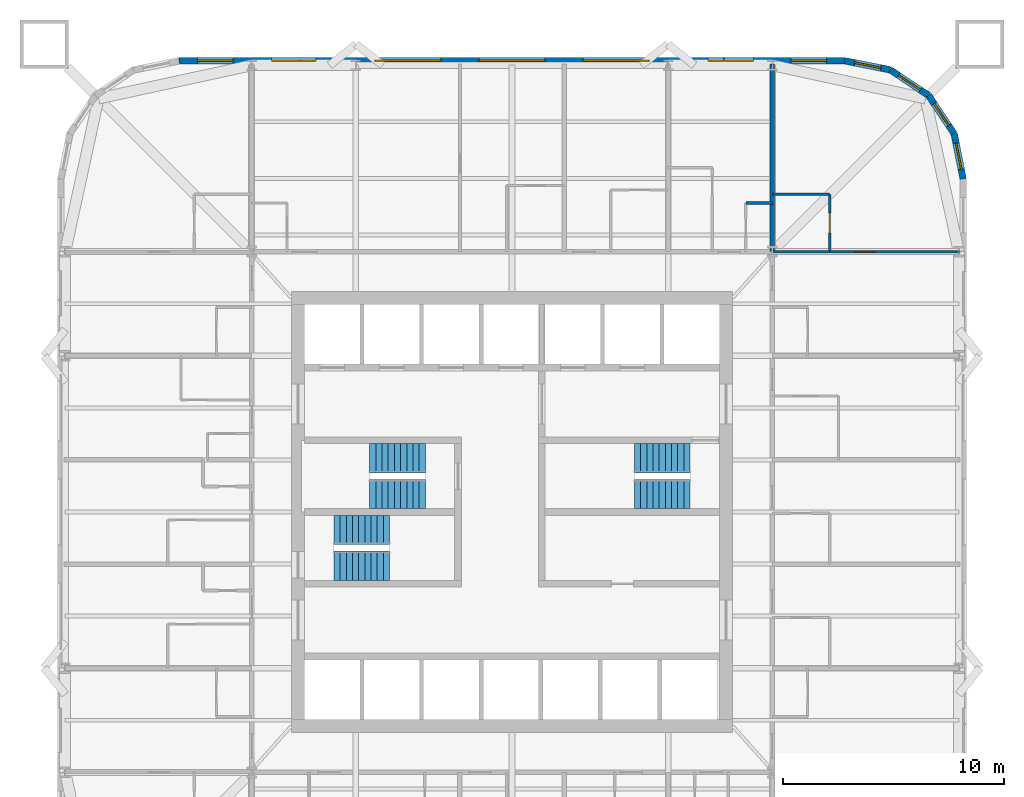
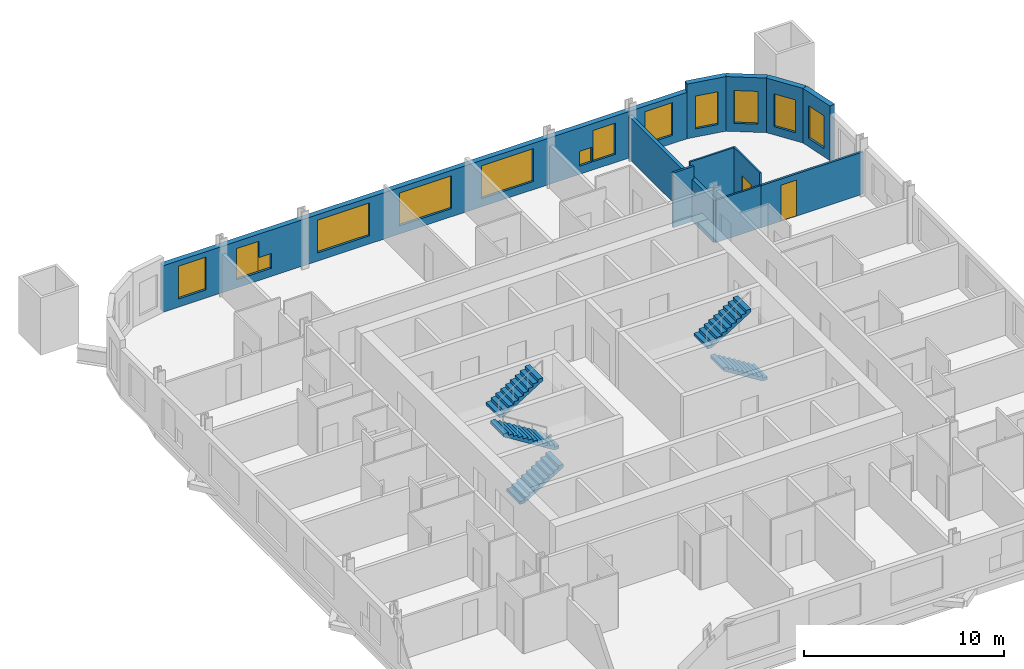
# One storey, part 8 of 9: 13 windows, 11 walls, 6 stair flights, 2 doors, 15 openings, 3 elements without a shape of their own.
"""IFC4 building model written with IfcOpenShell, lengths in metres."""

from ifc_helpers import new_model, si_unit, direction, frame, frame_2d, origin, place, context, subcontext, project, spatial, polyline, rectangle, outline, extrude, material, layer, layer_set, type_object, element, fill, aggregate, save


model = new_model("IFC4")

# Units and contexts
model_context = context("Model", 3, precision=1e-05, world=origin(), true_north=direction((0.0, 1.0)))
body_context = subcontext(model_context, "Body", "Model", "MODEL_VIEW")
ifc_project = project(units=[si_unit("LENGTHUNIT", "METRE"), si_unit("AREAUNIT", "SQUARE_METRE"), si_unit("VOLUMEUNIT", "CUBIC_METRE"), si_unit("PLANEANGLEUNIT", "RADIAN"), si_unit("MASSUNIT", "GRAM", prefix="KILO")], contexts=[model_context])

# Site, building, storey
site_placement = place(None, origin())
site = spatial("IfcSite", under=ifc_project, at=site_placement, CompositionType="ELEMENT")
building_placement = place(site_placement, origin())
building = spatial("IfcBuilding", under=site, at=building_placement, Name="Turquesa Mirador Hotel Tower", CompositionType="ELEMENT")
storey_placement = place(building_placement, frame((0.0, 0.0, 135.39990234375)))
storey = spatial("IfcBuildingStorey", under=building, at=storey_placement, Name="L36", CompositionType="ELEMENT", Elevation=135.39990234375)

# Walls
ifc_material_1 = material(Name="Gypsum board on steel studs", Category="steel")
ifc_layer_1 = layer(ifc_material_1, 0.10009765625)
ifc_layer_set_1 = layer_set([ifc_layer_1], Name="BATHROOM WALL 100")
wall_type_1 = type_object("IfcWallType", Name="BATHROOM WALL 100", PredefinedType="PARTITIONING", material=ifc_layer_set_1)
wall_1_placement = place(storey_placement, frame((66.800048828125, 56.800048828125, 0.0), z_axis=(0.0, 0.0, 1.0), x_axis=(1.0, 0.0, 0.0)))
element("IfcWall", 1, at=wall_1_placement, inside=storey, type_object=wall_type_1, Name="Partition L36 027", PredefinedType="PARTITIONING", context=body_context, shape_type="SweptSolid", body=[
    extrude(rectangle(XDim=2.599853515625, YDim=0.10009765625, at=frame_2d((1.2998046875, 0.0))), origin(), (0.0, 0.0, 1.0), 2.5732421875),
])
wall_2_placement = place(storey_placement, frame((66.800048828125, 59.39990234375, 0.0), z_axis=(0.0, 0.0, 1.0), x_axis=(1.0, 0.0, 0.0)))
element("IfcWall", 2, at=wall_2_placement, inside=storey, type_object=wall_type_1, Name="Partition L36 034", PredefinedType="PARTITIONING", context=body_context, shape_type="SweptSolid", body=[
    extrude(rectangle(XDim=2.599853515625, YDim=0.10009765625, at=frame_2d((1.2998046875, 0.0))), origin(), (0.0, 0.0, 1.0), 3.330078125),
])

# Wall, opening, door
wall_3_placement = place(storey_placement, frame((69.39990234375, 56.800048828125, 0.0), z_axis=(0.0, 0.0, 1.0), x_axis=(0.0, 1.0, 0.0)))
wall_3 = element("IfcWall", 3, at=wall_3_placement, inside=storey, type_object=wall_type_1, Name="Partition L36 077", PredefinedType="PARTITIONING", context=body_context, shape_type="SweptSolid", body=[
    extrude(rectangle(XDim=2.599853515625, YDim=0.10009765625, at=frame_2d((1.2998046875, 0.0))), origin(), (0.0, 0.0, 1.0), 3.330078125),
])
opening_1_placement = place(wall_3_placement, frame((0.85009765625, 0.0, 0.0)))
opening_1 = element("IfcOpeningElement", 4, at=opening_1_placement, cuts=wall_3, Name="Opening D02", PredefinedType="OPENING", context=body_context, shape_type="SweptSolid", body=[
    extrude(rectangle(XDim=0.89990234375, YDim=2.10009765625, at=frame_2d((0.449951171875, 1.050048828125))), frame((0.0, 0.06005859375, 0.0), z_axis=(0.0, -1.0, 0.0), x_axis=(1.0, 0.0, 0.0)), (0.0, 0.0, 1.0), 0.1201171875),
])
ifc_material_2 = material(Name="Timber veneered door", Category="wood")
door_type_1 = type_object("IfcDoorType", Name="DOOR 900X2100 EN-SUITE", OperationType="SINGLE_SWING_RIGHT", PredefinedType="DOOR", material=ifc_material_2)
door_1_placement = place(opening_1_placement, origin())
door_1 = element("IfcDoor", 5, at=door_1_placement, inside=storey, type_object=door_type_1, Name="Door 3614B", OperationType="SINGLE_SWING_RIGHT", OverallHeight=2.10009765625, OverallWidth=0.89990234375, PredefinedType="DOOR", context=body_context, shape_type="SweptSolid", body=[
    extrude(rectangle(XDim=0.89990234375, YDim=2.10009765625, at=frame_2d((0.449951171875, 1.050048828125))), frame((0.0, 0.02490234375, 0.0), z_axis=(0.0, -1.0, 0.0), x_axis=(1.0, 0.0, 0.0)), (0.0, 0.0, 1.0), 0.050048828125),
])
fill(opening_1, door_1)

# Wall, opening, window
ifc_material_3 = material(Name="Limestone cladding on concrete block", Category="masonry")
ifc_layer_2 = layer(ifc_material_3, 0.300048828125)
ifc_layer_set_2 = layer_set([ifc_layer_2], Name="FACADE WALL 300 STONE SCREEN")
wall_type_2 = type_object("IfcWallType", Name="FACADE WALL 300 STONE SCREEN", PredefinedType="SOLIDWALL", material=ifc_layer_set_2)
wall_4_placement = place(storey_placement, frame((75.449951171875, 60.10009765625, 0.0), z_axis=(0.0, 0.0, 1.0), x_axis=(-0.195081421501, 0.980787050784, 0.0)))
wall_4 = element("IfcWall", 6, at=wall_4_placement, inside=storey, type_object=wall_type_2, Name="Facade wall L36 05", PredefinedType="SOLIDWALL", context=body_context, shape_type="SweptSolid", body=[
    extrude(rectangle(XDim=2.08740234375, YDim=0.300048828125, at=frame_2d((1.043701171875, 0.0))), origin(), (0.0, 0.0, 1.0), 3.330078125),
])
opening_2_placement = place(wall_4_placement, frame((0.443603515625, 0.0, 0.5)))
opening_2 = element("IfcOpeningElement", 7, at=opening_2_placement, cuts=wall_4, Name="Opening WN4", PredefinedType="OPENING", context=body_context, shape_type="SweptSolid", body=[
    extrude(rectangle(XDim=1.199951171875, YDim=2.0, at=frame_2d((0.60009765625, 1.0))), frame((0.0, 0.159912109375, 0.0), z_axis=(0.0, -1.0, 0.0), x_axis=(1.0, 0.0, 0.0)), (0.0, 0.0, 1.0), 0.320068359375),
])
ifc_material_4 = material(Name="Ceramic-fritted laminated glass", Category="glass")
window_type_1 = type_object("IfcWindowType", Name="FRITTED CORNER WINDOW 1200X2000", PartitioningType="DOUBLE_PANEL_HORIZONTAL", PredefinedType="WINDOW", material=ifc_material_4)
window_1_placement = place(opening_2_placement, origin())
window_1 = element("IfcWindow", 8, at=window_1_placement, inside=storey, type_object=window_type_1, Name="Window L36", OverallHeight=2.0, OverallWidth=1.199951171875, PartitioningType="SINGLE_PANEL", PredefinedType="WINDOW", context=body_context, shape_type="SweptSolid", body=[
    extrude(rectangle(XDim=1.199951171875, YDim=2.0, at=frame_2d((0.60009765625, 1.0))), frame((0.0, 0.030029296875, 0.0), z_axis=(0.0, -1.0, 0.0), x_axis=(1.0, 0.0, 0.0)), (0.0, 0.0, 1.0), 0.06005859375),
])
fill(opening_2, window_1)

wall_5_placement = place(storey_placement, frame((75.042724609375, 62.1474609375, 0.0), z_axis=(0.0, 0.0, 1.0), x_axis=(-0.555563607591, 0.831474039234, 0.0)))
wall_5 = element("IfcWall", 9, at=wall_5_placement, inside=storey, type_object=wall_type_2, Name="Facade wall L36 06", PredefinedType="SOLIDWALL", context=body_context, shape_type="SweptSolid", body=[
    extrude(rectangle(XDim=2.08740234375, YDim=0.300048828125, at=frame_2d((1.043701171875, 0.0))), origin(), (0.0, 0.0, 1.0), 3.330078125),
])
opening_3_placement = place(wall_5_placement, frame((0.443603515625, 0.0, 0.5)))
opening_3 = element("IfcOpeningElement", 10, at=opening_3_placement, cuts=wall_5, Name="Opening WN4", PredefinedType="OPENING", context=body_context, shape_type="SweptSolid", body=[
    extrude(rectangle(XDim=1.199951171875, YDim=2.0, at=frame_2d((0.60009765625, 1.0))), frame((0.0, 0.159912109375, 0.0), z_axis=(0.0, -1.0, 0.0), x_axis=(1.0, 0.0, 0.0)), (0.0, 0.0, 1.0), 0.320068359375),
])
window_2_placement = place(opening_3_placement, origin())
window_2 = element("IfcWindow", 11, at=window_2_placement, inside=storey, type_object=window_type_1, Name="Window L36", OverallHeight=2.0, OverallWidth=1.199951171875, PartitioningType="SINGLE_PANEL", PredefinedType="WINDOW", context=body_context, shape_type="SweptSolid", body=[
    extrude(rectangle(XDim=1.199951171875, YDim=2.0, at=frame_2d((0.60009765625, 1.0))), frame((0.0, 0.030029296875, 0.0), z_axis=(0.0, -1.0, 0.0), x_axis=(1.0, 0.0, 0.0)), (0.0, 0.0, 1.0), 0.06005859375),
])
fill(opening_3, window_2)

wall_6_placement = place(storey_placement, frame((73.883056640625, 63.883056640625, 0.0), z_axis=(0.0, 0.0, 1.0), x_axis=(-0.831474039234, 0.555563607591, 0.0)))
wall_6 = element("IfcWall", 12, at=wall_6_placement, inside=storey, type_object=wall_type_2, Name="Facade wall L36 07", PredefinedType="SOLIDWALL", context=body_context, shape_type="SweptSolid", body=[
    extrude(rectangle(XDim=2.08740234375, YDim=0.300048828125, at=frame_2d((1.043701171875, 0.0))), origin(), (0.0, 0.0, 1.0), 3.330078125),
])
opening_4_placement = place(wall_6_placement, frame((0.443603515625, 0.0, 0.5)))
opening_4 = element("IfcOpeningElement", 13, at=opening_4_placement, cuts=wall_6, Name="Opening WN4", PredefinedType="OPENING", context=body_context, shape_type="SweptSolid", body=[
    extrude(rectangle(XDim=1.199951171875, YDim=2.0, at=frame_2d((0.60009765625, 1.0))), frame((0.0, 0.159912109375, 0.0), z_axis=(0.0, -1.0, 0.0), x_axis=(1.0, 0.0, 0.0)), (0.0, 0.0, 1.0), 0.320068359375),
])
window_3_placement = place(opening_4_placement, origin())
window_3 = element("IfcWindow", 14, at=window_3_placement, inside=storey, type_object=window_type_1, Name="Window L36", OverallHeight=2.0, OverallWidth=1.199951171875, PartitioningType="SINGLE_PANEL", PredefinedType="WINDOW", context=body_context, shape_type="SweptSolid", body=[
    extrude(rectangle(XDim=1.199951171875, YDim=2.0, at=frame_2d((0.60009765625, 1.0))), frame((0.0, 0.030029296875, 0.0), z_axis=(0.0, -1.0, 0.0), x_axis=(1.0, 0.0, 0.0)), (0.0, 0.0, 1.0), 0.06005859375),
])
fill(opening_4, window_3)

wall_7_placement = place(storey_placement, frame((72.1474609375, 65.042724609375, 0.0), z_axis=(0.0, 0.0, 1.0), x_axis=(-0.980787050784, 0.195081421501, 0.0)))
wall_7 = element("IfcWall", 15, at=wall_7_placement, inside=storey, type_object=wall_type_2, Name="Facade wall L36 08", PredefinedType="SOLIDWALL", context=body_context, shape_type="SweptSolid", body=[
    extrude(rectangle(XDim=2.08740234375, YDim=0.300048828125, at=frame_2d((1.043701171875, 0.0))), origin(), (0.0, 0.0, 1.0), 3.330078125),
])
opening_5_placement = place(wall_7_placement, frame((0.443603515625, 0.0, 0.5)))
opening_5 = element("IfcOpeningElement", 16, at=opening_5_placement, cuts=wall_7, Name="Opening WN4", PredefinedType="OPENING", context=body_context, shape_type="SweptSolid", body=[
    extrude(rectangle(XDim=1.199951171875, YDim=2.0, at=frame_2d((0.60009765625, 1.0))), frame((0.0, 0.159912109375, 0.0), z_axis=(0.0, -1.0, 0.0), x_axis=(1.0, 0.0, 0.0)), (0.0, 0.0, 1.0), 0.320068359375),
])
window_4_placement = place(opening_5_placement, origin())
window_4 = element("IfcWindow", 17, at=window_4_placement, inside=storey, type_object=window_type_1, Name="Window L36", OverallHeight=2.0, OverallWidth=1.199951171875, PartitioningType="SINGLE_PANEL", PredefinedType="WINDOW", context=body_context, shape_type="SweptSolid", body=[
    extrude(rectangle(XDim=1.199951171875, YDim=2.0, at=frame_2d((0.60009765625, 1.0))), frame((0.0, 0.030029296875, 0.0), z_axis=(0.0, -1.0, 0.0), x_axis=(1.0, 0.0, 0.0)), (0.0, 0.0, 1.0), 0.06005859375),
])
fill(opening_5, window_4)

# Wall, openings, windows
wall_8_placement = place(storey_placement, frame((70.10009765625, 65.449951171875, 0.0), z_axis=(0.0, 0.0, 1.0), x_axis=(-1.0, 0.0, 0.0)))
wall_8 = element("IfcWall", 18, at=wall_8_placement, inside=storey, type_object=wall_type_2, Name="Facade wall L36 09", PredefinedType="SOLIDWALL", context=body_context, shape_type="SweptSolid", body=[
    extrude(rectangle(XDim=30.2001953125, YDim=0.300048828125, at=frame_2d((15.10009765625, 0.0))), origin(), (0.0, 0.0, 1.0), 2.830078125),
])
opening_6_placement = place(wall_8_placement, frame((0.85009765625, 0.0, 0.5)))
opening_6 = element("IfcOpeningElement", 19, at=opening_6_placement, cuts=wall_8, Name="Opening WN3", PredefinedType="OPENING", context=body_context, shape_type="SweptSolid", body=[
    extrude(rectangle(XDim=1.60009765625, YDim=2.0, at=frame_2d((0.800048828125, 1.0))), frame((0.0, 0.159912109375, 0.0), z_axis=(0.0, -1.0, 0.0), x_axis=(1.0, 0.0, 0.0)), (0.0, 0.0, 1.0), 0.320068359375),
])
opening_7_placement = place(wall_8_placement, frame((4.159912109375, 0.0, 0.5)))
opening_7 = element("IfcOpeningElement", 20, at=opening_7_placement, cuts=wall_8, Name="Opening WN27", PredefinedType="OPENING", context=body_context, shape_type="SweptSolid", body=[
    extrude(rectangle(XDim=1.300048828125, YDim=1.89990234375, at=frame_2d((0.64990234375, 0.949951171875))), frame((0.0, 0.159912109375, 0.0), z_axis=(0.0, -1.0, 0.0), x_axis=(1.0, 0.0, 0.0)), (0.0, 0.0, 1.0), 0.320068359375),
])
opening_8_placement = place(wall_8_placement, frame((8.8798828125, 0.0, 0.5)))
opening_8 = element("IfcOpeningElement", 21, at=opening_8_placement, cuts=wall_8, Name="Opening WN1", PredefinedType="OPENING", context=body_context, shape_type="SweptSolid", body=[
    extrude(rectangle(XDim=3.0, YDim=2.0, at=frame_2d((1.5, 1.0))), frame((0.0, 0.159912109375, 0.0), z_axis=(0.0, -1.0, 0.0), x_axis=(1.0, 0.0, 0.0)), (0.0, 0.0, 1.0), 0.320068359375),
])
opening_9_placement = place(wall_8_placement, frame((13.60009765625, 0.0, 0.5)))
opening_9 = element("IfcOpeningElement", 22, at=opening_9_placement, cuts=wall_8, Name="Opening WN1", PredefinedType="OPENING", context=body_context, shape_type="SweptSolid", body=[
    extrude(rectangle(XDim=3.0, YDim=2.0, at=frame_2d((1.5, 1.0))), frame((0.0, 0.159912109375, 0.0), z_axis=(0.0, -1.0, 0.0), x_axis=(1.0, 0.0, 0.0)), (0.0, 0.0, 1.0), 0.320068359375),
])
opening_10_placement = place(wall_8_placement, frame((18.320068359375, 0.0, 0.5)))
opening_10 = element("IfcOpeningElement", 23, at=opening_10_placement, cuts=wall_8, Name="Opening WN1", PredefinedType="OPENING", context=body_context, shape_type="SweptSolid", body=[
    extrude(rectangle(XDim=3.0, YDim=2.0, at=frame_2d((1.5, 1.0))), frame((0.0, 0.159912109375, 0.0), z_axis=(0.0, -1.0, 0.0), x_axis=(1.0, 0.0, 0.0)), (0.0, 0.0, 1.0), 0.320068359375),
])
opening_11_placement = place(wall_8_placement, frame((24.68994140625, 0.0, 0.5)))
opening_11 = element("IfcOpeningElement", 24, at=opening_11_placement, cuts=wall_8, Name="Opening WN27", PredefinedType="OPENING", context=body_context, shape_type="SweptSolid", body=[
    extrude(rectangle(XDim=1.300048828125, YDim=1.89990234375, at=frame_2d((0.64990234375, 0.949951171875))), frame((0.0, 0.159912109375, 0.0), z_axis=(0.0, -1.0, 0.0), x_axis=(1.0, 0.0, 0.0)), (0.0, 0.0, 1.0), 0.320068359375),
])
opening_12_placement = place(wall_8_placement, frame((27.75, 0.0, 0.5)))
opening_12 = element("IfcOpeningElement", 25, at=opening_12_placement, cuts=wall_8, Name="Opening WN3", PredefinedType="OPENING", context=body_context, shape_type="SweptSolid", body=[
    extrude(rectangle(XDim=1.60009765625, YDim=2.0, at=frame_2d((0.800048828125, 1.0))), frame((0.0, 0.159912109375, 0.0), z_axis=(0.0, -1.0, 0.0), x_axis=(1.0, 0.0, 0.0)), (0.0, 0.0, 1.0), 0.320068359375),
])
opening_13_placement = place(wall_8_placement, frame((5.510009765625, 0.0, 0.5)))
opening_13 = element("IfcOpeningElement", 26, at=opening_13_placement, cuts=wall_8, Name="Opening WN31", PredefinedType="OPENING", context=body_context, shape_type="SweptSolid", body=[
    extrude(rectangle(XDim=0.699951171875, YDim=0.89990234375, at=frame_2d((0.35009765625, 0.449951171875))), frame((0.0, 0.159912109375, 0.0), z_axis=(0.0, -1.0, 0.0), x_axis=(1.0, 0.0, 0.0)), (0.0, 0.0, 1.0), 0.320068359375),
])
opening_14_placement = place(wall_8_placement, frame((23.989990234375, 0.0, 0.5)))
opening_14 = element("IfcOpeningElement", 27, at=opening_14_placement, cuts=wall_8, Name="Opening WN31", PredefinedType="OPENING", context=body_context, shape_type="SweptSolid", body=[
    extrude(rectangle(XDim=0.699951171875, YDim=0.89990234375, at=frame_2d((0.35009765625, 0.449951171875))), frame((0.0, 0.159912109375, 0.0), z_axis=(0.0, -1.0, 0.0), x_axis=(1.0, 0.0, 0.0)), (0.0, 0.0, 1.0), 0.320068359375),
])
ifc_material_5 = material(Name="Ceramic-fritted laminated glass", Category="glass")
window_type_2 = type_object("IfcWindowType", Name="FRITTED WINDOW 1300X1900", PartitioningType="DOUBLE_PANEL_HORIZONTAL", PredefinedType="WINDOW", material=ifc_material_5)
window_5_placement = place(opening_7_placement, origin())
window_5 = element("IfcWindow", 28, at=window_5_placement, inside=storey, type_object=window_type_2, Name="Window L36", OverallHeight=1.89990234375, OverallWidth=1.300048828125, PartitioningType="SINGLE_PANEL", PredefinedType="WINDOW", context=body_context, shape_type="SweptSolid", body=[
    extrude(rectangle(XDim=1.300048828125, YDim=1.89990234375, at=frame_2d((0.64990234375, 0.949951171875))), frame((0.0, 0.030029296875, 0.0), z_axis=(0.0, -1.0, 0.0), x_axis=(1.0, 0.0, 0.0)), (0.0, 0.0, 1.0), 0.06005859375),
])
fill(opening_7, window_5)
window_6_placement = place(opening_11_placement, origin())
window_6 = element("IfcWindow", 29, at=window_6_placement, inside=storey, type_object=window_type_2, Name="Window L36", OverallHeight=1.89990234375, OverallWidth=1.300048828125, PartitioningType="SINGLE_PANEL", PredefinedType="WINDOW", context=body_context, shape_type="SweptSolid", body=[
    extrude(rectangle(XDim=1.300048828125, YDim=1.89990234375, at=frame_2d((0.64990234375, 0.949951171875))), frame((0.0, 0.030029296875, 0.0), z_axis=(0.0, -1.0, 0.0), x_axis=(1.0, 0.0, 0.0)), (0.0, 0.0, 1.0), 0.06005859375),
])
fill(opening_11, window_6)
ifc_material_6 = material(Name="Ceramic-fritted laminated glass", Category="glass")
window_type_3 = type_object("IfcWindowType", Name="FRITTED WINDOW 1600X2000", PartitioningType="DOUBLE_PANEL_HORIZONTAL", PredefinedType="WINDOW", material=ifc_material_6)
window_7_placement = place(opening_6_placement, origin())
window_7 = element("IfcWindow", 30, at=window_7_placement, inside=storey, type_object=window_type_3, Name="Window L36", OverallHeight=2.0, OverallWidth=1.60009765625, PartitioningType="SINGLE_PANEL", PredefinedType="WINDOW", context=body_context, shape_type="SweptSolid", body=[
    extrude(rectangle(XDim=1.60009765625, YDim=2.0, at=frame_2d((0.800048828125, 1.0))), frame((0.0, 0.030029296875, 0.0), z_axis=(0.0, -1.0, 0.0), x_axis=(1.0, 0.0, 0.0)), (0.0, 0.0, 1.0), 0.06005859375),
])
fill(opening_6, window_7)
window_8_placement = place(opening_12_placement, origin())
window_8 = element("IfcWindow", 31, at=window_8_placement, inside=storey, type_object=window_type_3, Name="Window L36", OverallHeight=2.0, OverallWidth=1.60009765625, PartitioningType="SINGLE_PANEL", PredefinedType="WINDOW", context=body_context, shape_type="SweptSolid", body=[
    extrude(rectangle(XDim=1.60009765625, YDim=2.0, at=frame_2d((0.800048828125, 1.0))), frame((0.0, 0.030029296875, 0.0), z_axis=(0.0, -1.0, 0.0), x_axis=(1.0, 0.0, 0.0)), (0.0, 0.0, 1.0), 0.06005859375),
])
fill(opening_12, window_8)
ifc_material_7 = material(Name="Ceramic-fritted laminated glass", Category="glass")
window_type_4 = type_object("IfcWindowType", Name="FRITTED WINDOW 3000X2000", PartitioningType="DOUBLE_PANEL_HORIZONTAL", PredefinedType="WINDOW", material=ifc_material_7)
window_9_placement = place(opening_8_placement, origin())
window_9 = element("IfcWindow", 32, at=window_9_placement, inside=storey, type_object=window_type_4, Name="Window L36", OverallHeight=2.0, OverallWidth=3.0, PartitioningType="SINGLE_PANEL", PredefinedType="WINDOW", context=body_context, shape_type="SweptSolid", body=[
    extrude(rectangle(XDim=3.0, YDim=2.0, at=frame_2d((1.5, 1.0))), frame((0.0, 0.030029296875, 0.0), z_axis=(0.0, -1.0, 0.0), x_axis=(1.0, 0.0, 0.0)), (0.0, 0.0, 1.0), 0.06005859375),
])
fill(opening_8, window_9)
window_10_placement = place(opening_9_placement, origin())
window_10 = element("IfcWindow", 33, at=window_10_placement, inside=storey, type_object=window_type_4, Name="Window L36", OverallHeight=2.0, OverallWidth=3.0, PartitioningType="SINGLE_PANEL", PredefinedType="WINDOW", context=body_context, shape_type="SweptSolid", body=[
    extrude(rectangle(XDim=3.0, YDim=2.0, at=frame_2d((1.5, 1.0))), frame((0.0, 0.030029296875, 0.0), z_axis=(0.0, -1.0, 0.0), x_axis=(1.0, 0.0, 0.0)), (0.0, 0.0, 1.0), 0.06005859375),
])
fill(opening_9, window_10)
window_11_placement = place(opening_10_placement, origin())
window_11 = element("IfcWindow", 34, at=window_11_placement, inside=storey, type_object=window_type_4, Name="Window L36", OverallHeight=2.0, OverallWidth=3.0, PartitioningType="SINGLE_PANEL", PredefinedType="WINDOW", context=body_context, shape_type="SweptSolid", body=[
    extrude(rectangle(XDim=3.0, YDim=2.0, at=frame_2d((1.5, 1.0))), frame((0.0, 0.030029296875, 0.0), z_axis=(0.0, -1.0, 0.0), x_axis=(1.0, 0.0, 0.0)), (0.0, 0.0, 1.0), 0.06005859375),
])
fill(opening_10, window_11)
ifc_material_8 = material(Name="Ceramic-fritted laminated glass", Category="glass")
window_type_5 = type_object("IfcWindowType", Name="FRITTED WINDOW 700X900", PartitioningType="DOUBLE_PANEL_HORIZONTAL", PredefinedType="WINDOW", material=ifc_material_8)
window_12_placement = place(opening_13_placement, origin())
window_12 = element("IfcWindow", 35, at=window_12_placement, inside=storey, type_object=window_type_5, Name="Window L36", OverallHeight=0.89990234375, OverallWidth=0.699951171875, PartitioningType="SINGLE_PANEL", PredefinedType="WINDOW", context=body_context, shape_type="SweptSolid", body=[
    extrude(rectangle(XDim=0.699951171875, YDim=0.89990234375, at=frame_2d((0.35009765625, 0.449951171875))), frame((0.0, 0.030029296875, 0.0), z_axis=(0.0, -1.0, 0.0), x_axis=(1.0, 0.0, 0.0)), (0.0, 0.0, 1.0), 0.06005859375),
])
fill(opening_13, window_12)
window_13_placement = place(opening_14_placement, origin())
window_13 = element("IfcWindow", 36, at=window_13_placement, inside=storey, type_object=window_type_5, Name="Window L36", OverallHeight=0.89990234375, OverallWidth=0.699951171875, PartitioningType="SINGLE_PANEL", PredefinedType="WINDOW", context=body_context, shape_type="SweptSolid", body=[
    extrude(rectangle(XDim=0.699951171875, YDim=0.89990234375, at=frame_2d((0.35009765625, 0.449951171875))), frame((0.0, 0.030029296875, 0.0), z_axis=(0.0, -1.0, 0.0), x_axis=(1.0, 0.0, 0.0)), (0.0, 0.0, 1.0), 0.06005859375),
])
fill(opening_14, window_13)

# Wall
ifc_material_9 = material(Name="Fire-rated gypsum board on steel studs", Category="steel")
ifc_layer_3 = layer(ifc_material_9, 0.199951171875)
ifc_layer_set_3 = layer_set([ifc_layer_3], Name="PARTY WALL 200")
wall_type_3 = type_object("IfcWallType", Name="PARTY WALL 200", PredefinedType="PARTITIONING", material=ifc_layer_set_3)
wall_9_placement = place(storey_placement, frame((66.800048828125, 56.800048828125, 0.0), z_axis=(0.0, 0.0, 1.0), x_axis=(0.0, 1.0, 0.0)))
element("IfcWall", 37, at=wall_9_placement, inside=storey, type_object=wall_type_3, Name="Partition L36 071", PredefinedType="PARTITIONING", context=body_context, shape_type="SweptSolid", body=[
    extrude(rectangle(XDim=8.5, YDim=0.199951171875, at=frame_2d((4.25, 0.0))), origin(), (0.0, 0.0, 1.0), 2.5732421875),
])

# Wall, opening, door
ifc_material_10 = material(Name="Acoustic gypsum board on steel studs", Category="steel")
ifc_layer_4 = layer(ifc_material_10, 0.125)
ifc_layer_set_4 = layer_set([ifc_layer_4], Name="SUITE PARTITION 125")
wall_type_4 = type_object("IfcWallType", Name="SUITE PARTITION 125", PredefinedType="PARTITIONING", material=ifc_layer_set_4)
wall_10_placement = place(storey_placement, frame((69.39990234375, 56.800048828125, 0.0), z_axis=(0.0, 0.0, 1.0), x_axis=(1.0, 0.0, 0.0)))
wall_10 = element("IfcWall", 38, at=wall_10_placement, inside=storey, type_object=wall_type_4, Name="Partition L36 030", PredefinedType="PARTITIONING", context=body_context, shape_type="SweptSolid", body=[
    extrude(rectangle(XDim=5.900146484375, YDim=0.125, at=frame_2d((2.9501953125, 0.0))), origin(), (0.0, 0.0, 1.0), 2.5732421875),
])
opening_15_placement = place(wall_10_placement, frame((1.14990234375, 0.0, 0.0)))
opening_15 = element("IfcOpeningElement", 39, at=opening_15_placement, cuts=wall_10, Name="Opening D17", PredefinedType="OPENING", context=body_context, shape_type="SweptSolid", body=[
    extrude(rectangle(XDim=0.89990234375, YDim=2.199951171875, at=frame_2d((0.449951171875, 1.10009765625))), frame((0.0, 0.072509765625, 0.0), z_axis=(0.0, -1.0, 0.0), x_axis=(1.0, 0.0, 0.0)), (0.0, 0.0, 1.0), 0.14501953125),
])
ifc_material_11 = material(Name="Timber veneered door", Category="wood")
door_type_2 = type_object("IfcDoorType", Name="DOOR 900X2200 SUITE INTERNAL", OperationType="SINGLE_SWING_LEFT", PredefinedType="DOOR", material=ifc_material_11)
door_2_placement = place(opening_15_placement, origin())
door_2 = element("IfcDoor", 40, at=door_2_placement, inside=storey, type_object=door_type_2, Name="Door 3614R", OperationType="SINGLE_SWING_LEFT", OverallHeight=2.199951171875, OverallWidth=0.89990234375, PredefinedType="DOOR", context=body_context, shape_type="SweptSolid", body=[
    extrude(rectangle(XDim=0.89990234375, YDim=2.199951171875, at=frame_2d((0.449951171875, 1.10009765625))), frame((0.0, 0.02490234375, 0.0), z_axis=(0.0, -1.0, 0.0), x_axis=(1.0, 0.0, 0.0)), (0.0, 0.0, 1.0), 0.050048828125),
])
fill(opening_15, door_2)

# Wall
wall_11_placement = place(storey_placement, frame((65.60009765625, 59.0, 0.0), z_axis=(0.0, 0.0, 1.0), x_axis=(1.0, 0.0, 0.0)))
element("IfcWall", 41, at=wall_11_placement, inside=storey, type_object=wall_type_4, Name="Partition L36 032", PredefinedType="PARTITIONING", context=body_context, shape_type="SweptSolid", body=[
    extrude(rectangle(XDim=1.199951171875, YDim=0.125, at=frame_2d((0.60009765625, 0.0))), origin(), (0.0, 0.0, 1.0), 3.330078125),
])

# Stair, stair flights
ifc_material_12 = material(Name="Concrete C35/45", Category="concrete")
stair_type = type_object("IfcStairType", Name="ESCAPE STAIR CORE", PredefinedType="HALF_TURN_STAIR", material=ifc_material_12)
stair_1_placement = place(storey_placement, origin())
stair_1 = element("IfcStair", 42, at=stair_1_placement, inside=storey, type_object=stair_type, Name="Stair ST1 L36 to L37", PredefinedType="HALF_TURN_STAIR")
ifc_material_13 = material(Name="Concrete C35/45 precast flight", Category="concrete")
stair_flight_type = type_object("IfcStairFlightType", Name="STAIR FLIGHT 1330", PredefinedType="STRAIGHT", material=ifc_material_13)
stair_flight_1_placement = place(storey_placement, frame((51.070068359375, 45.81494140625, 0.0), z_axis=(0.0, 0.0, 1.0), x_axis=(-1.0, 0.0, 0.0)))
stair_flight_1 = element("IfcStairFlight", 43, at=stair_flight_1_placement, type_object=stair_flight_type, Name="ST1 flight 1", NumberOfRisers=10, NumberOfTreads=9, PredefinedType="STRAIGHT", RiserHeight=0.175, TreadLength=0.28, context=body_context, shape_type="SweptSolid", body=[
    extrude(outline(polyline([(0.0, 0.0), (0.0, 0.175048828125), (0.280029296875, 0.175048828125), (0.280029296875, 0.35009765625), (0.56005859375, 0.35009765625), (0.56005859375, 0.52490234375), (0.840087890625, 0.52490234375), (0.840087890625, 0.699951171875), (1.1201171875, 0.699951171875), (1.1201171875, 0.875), (1.39990234375, 0.875), (1.39990234375, 1.050048828125), (1.679931640625, 1.050048828125), (1.679931640625, 1.22509765625), (1.9599609375, 1.22509765625), (1.9599609375, 1.39990234375), (2.239990234375, 1.39990234375), (2.239990234375, 1.574951171875), (2.52001953125, 1.574951171875), (2.52001953125, 1.75), (2.52001953125, 1.398193359375), (0.28271484375, 0.0), (0.0, 0.0)])), frame((0.0, 0.6650390625, 0.0), z_axis=(0.0, -1.0, 0.0), x_axis=(1.0, 0.0, 0.0)), (0.0, 0.0, 1.0), 1.330078125),
])
stair_flight_2_placement = place(storey_placement, frame((48.550048828125, 47.43505859375, 1.75), z_axis=(0.0, 0.0, 1.0), x_axis=(1.0, 0.0, 0.0)))
stair_flight_2 = element("IfcStairFlight", 44, at=stair_flight_2_placement, type_object=stair_flight_type, Name="ST1 flight 2", NumberOfRisers=10, NumberOfTreads=9, PredefinedType="STRAIGHT", RiserHeight=0.175, TreadLength=0.28, context=body_context, shape_type="SweptSolid", body=[
    extrude(outline(polyline([(0.0, 0.0), (0.0, 0.175048828125), (0.280029296875, 0.175048828125), (0.280029296875, 0.35009765625), (0.56005859375, 0.35009765625), (0.56005859375, 0.52490234375), (0.840087890625, 0.52490234375), (0.840087890625, 0.699951171875), (1.1201171875, 0.699951171875), (1.1201171875, 0.875), (1.39990234375, 0.875), (1.39990234375, 1.050048828125), (1.679931640625, 1.050048828125), (1.679931640625, 1.22509765625), (1.9599609375, 1.22509765625), (1.9599609375, 1.39990234375), (2.239990234375, 1.39990234375), (2.239990234375, 1.574951171875), (2.52001953125, 1.574951171875), (2.52001953125, 1.75), (2.52001953125, 1.398193359375), (0.28271484375, 0.0), (0.0, 0.0)])), frame((0.0, 0.6650390625, 0.0), z_axis=(0.0, -1.0, 0.0), x_axis=(1.0, 0.0, 0.0)), (0.0, 0.0, 1.0), 1.330078125),
])
aggregate(stair_1, [stair_flight_1, stair_flight_2])

stair_2_placement = place(storey_placement, origin())
stair_2 = element("IfcStair", 45, at=stair_2_placement, inside=storey, type_object=stair_type, Name="Stair ST2 L36 to L37", PredefinedType="HALF_TURN_STAIR")
stair_flight_3_placement = place(storey_placement, frame((46.929931640625, 42.56494140625, 0.0), z_axis=(0.0, 0.0, 1.0), x_axis=(1.0, 0.0, 0.0)))
stair_flight_3 = element("IfcStairFlight", 46, at=stair_flight_3_placement, type_object=stair_flight_type, Name="ST2 flight 1", NumberOfRisers=10, NumberOfTreads=9, PredefinedType="STRAIGHT", RiserHeight=0.175, TreadLength=0.28, context=body_context, shape_type="SweptSolid", body=[
    extrude(outline(polyline([(0.0, 0.0), (0.0, 0.175048828125), (0.280029296875, 0.175048828125), (0.280029296875, 0.35009765625), (0.56005859375, 0.35009765625), (0.56005859375, 0.52490234375), (0.840087890625, 0.52490234375), (0.840087890625, 0.699951171875), (1.1201171875, 0.699951171875), (1.1201171875, 0.875), (1.39990234375, 0.875), (1.39990234375, 1.050048828125), (1.679931640625, 1.050048828125), (1.679931640625, 1.22509765625), (1.9599609375, 1.22509765625), (1.9599609375, 1.39990234375), (2.239990234375, 1.39990234375), (2.239990234375, 1.574951171875), (2.52001953125, 1.574951171875), (2.52001953125, 1.75), (2.52001953125, 1.398193359375), (0.28271484375, 0.0), (0.0, 0.0)])), frame((0.0, 0.6650390625, 0.0), z_axis=(0.0, -1.0, 0.0), x_axis=(1.0, 0.0, 0.0)), (0.0, 0.0, 1.0), 1.330078125),
])
stair_flight_4_placement = place(storey_placement, frame((49.449951171875, 44.18505859375, 1.75), z_axis=(0.0, 0.0, 1.0), x_axis=(-1.0, 0.0, 0.0)))
stair_flight_4 = element("IfcStairFlight", 47, at=stair_flight_4_placement, type_object=stair_flight_type, Name="ST2 flight 2", NumberOfRisers=10, NumberOfTreads=9, PredefinedType="STRAIGHT", RiserHeight=0.175, TreadLength=0.28, context=body_context, shape_type="SweptSolid", body=[
    extrude(outline(polyline([(0.0, 0.0), (0.0, 0.175048828125), (0.280029296875, 0.175048828125), (0.280029296875, 0.35009765625), (0.56005859375, 0.35009765625), (0.56005859375, 0.52490234375), (0.840087890625, 0.52490234375), (0.840087890625, 0.699951171875), (1.1201171875, 0.699951171875), (1.1201171875, 0.875), (1.39990234375, 0.875), (1.39990234375, 1.050048828125), (1.679931640625, 1.050048828125), (1.679931640625, 1.22509765625), (1.9599609375, 1.22509765625), (1.9599609375, 1.39990234375), (2.239990234375, 1.39990234375), (2.239990234375, 1.574951171875), (2.52001953125, 1.574951171875), (2.52001953125, 1.75), (2.52001953125, 1.398193359375), (0.28271484375, 0.0), (0.0, 0.0)])), frame((0.0, 0.6650390625, 0.0), z_axis=(0.0, -1.0, 0.0), x_axis=(1.0, 0.0, 0.0)), (0.0, 0.0, 1.0), 1.330078125),
])
aggregate(stair_2, [stair_flight_3, stair_flight_4])

stair_3_placement = place(storey_placement, origin())
stair_3 = element("IfcStair", 48, at=stair_3_placement, inside=storey, type_object=stair_type, Name="Stair ST3 L36 to L37", PredefinedType="HALF_TURN_STAIR")
stair_flight_5_placement = place(storey_placement, frame((63.070068359375, 45.81494140625, 0.0), z_axis=(0.0, 0.0, 1.0), x_axis=(-1.0, 0.0, 0.0)))
stair_flight_5 = element("IfcStairFlight", 49, at=stair_flight_5_placement, type_object=stair_flight_type, Name="ST3 flight 1", NumberOfRisers=10, NumberOfTreads=9, PredefinedType="STRAIGHT", RiserHeight=0.175, TreadLength=0.28, context=body_context, shape_type="SweptSolid", body=[
    extrude(outline(polyline([(0.0, 0.0), (0.0, 0.175048828125), (0.280029296875, 0.175048828125), (0.280029296875, 0.35009765625), (0.56005859375, 0.35009765625), (0.56005859375, 0.52490234375), (0.840087890625, 0.52490234375), (0.840087890625, 0.699951171875), (1.1201171875, 0.699951171875), (1.1201171875, 0.875), (1.39990234375, 0.875), (1.39990234375, 1.050048828125), (1.679931640625, 1.050048828125), (1.679931640625, 1.22509765625), (1.9599609375, 1.22509765625), (1.9599609375, 1.39990234375), (2.239990234375, 1.39990234375), (2.239990234375, 1.574951171875), (2.52001953125, 1.574951171875), (2.52001953125, 1.75), (2.52001953125, 1.398193359375), (0.28271484375, 0.0), (0.0, 0.0)])), frame((0.0, 0.6650390625, 0.0), z_axis=(0.0, -1.0, 0.0), x_axis=(1.0, 0.0, 0.0)), (0.0, 0.0, 1.0), 1.330078125),
])
stair_flight_6_placement = place(storey_placement, frame((60.550048828125, 47.43505859375, 1.75), z_axis=(0.0, 0.0, 1.0), x_axis=(1.0, 0.0, 0.0)))
stair_flight_6 = element("IfcStairFlight", 50, at=stair_flight_6_placement, type_object=stair_flight_type, Name="ST3 flight 2", NumberOfRisers=10, NumberOfTreads=9, PredefinedType="STRAIGHT", RiserHeight=0.175, TreadLength=0.28, context=body_context, shape_type="SweptSolid", body=[
    extrude(outline(polyline([(0.0, 0.0), (0.0, 0.175048828125), (0.280029296875, 0.175048828125), (0.280029296875, 0.35009765625), (0.56005859375, 0.35009765625), (0.56005859375, 0.52490234375), (0.840087890625, 0.52490234375), (0.840087890625, 0.699951171875), (1.1201171875, 0.699951171875), (1.1201171875, 0.875), (1.39990234375, 0.875), (1.39990234375, 1.050048828125), (1.679931640625, 1.050048828125), (1.679931640625, 1.22509765625), (1.9599609375, 1.22509765625), (1.9599609375, 1.39990234375), (2.239990234375, 1.39990234375), (2.239990234375, 1.574951171875), (2.52001953125, 1.574951171875), (2.52001953125, 1.75), (2.52001953125, 1.398193359375), (0.28271484375, 0.0), (0.0, 0.0)])), frame((0.0, 0.6650390625, 0.0), z_axis=(0.0, -1.0, 0.0), x_axis=(1.0, 0.0, 0.0)), (0.0, 0.0, 1.0), 1.330078125),
])
aggregate(stair_3, [stair_flight_5, stair_flight_6])

save(model, "model.ifc")
